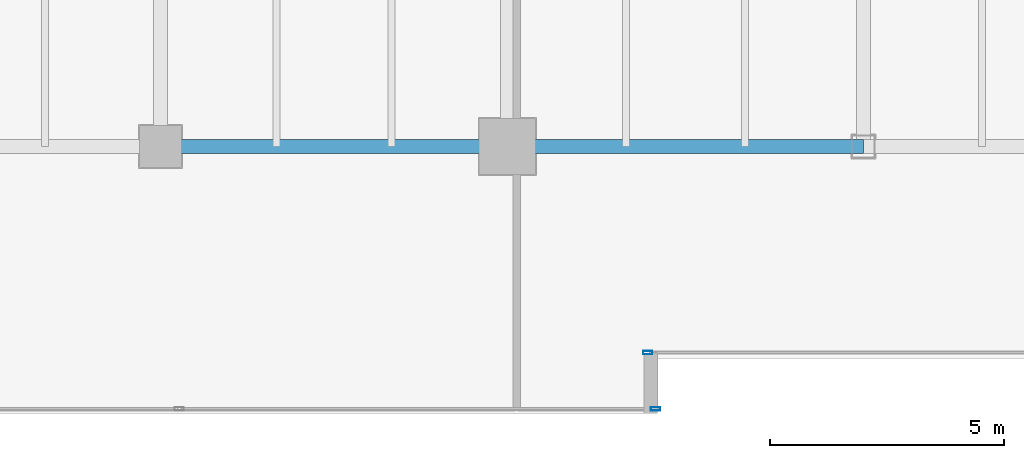
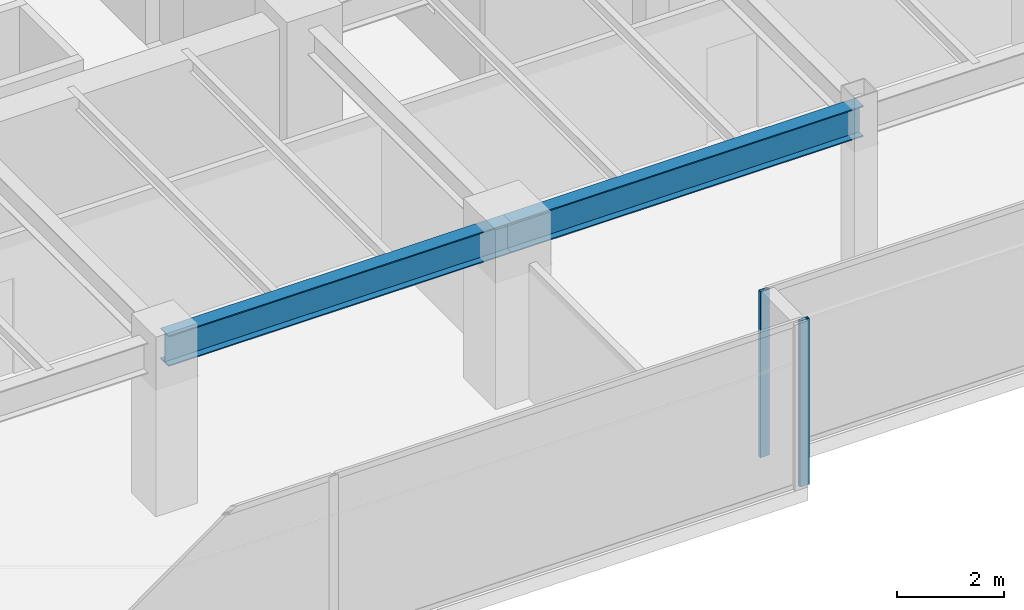
# One storey, part 4 of 34: 2 beams, 2 members, 2 elements without a shape of their own.
"""IFC4 building model written with IfcOpenShell, lengths in metres."""

from ifc_helpers import new_model, si_unit, direction, frame, origin, origin_2d, place, context, subcontext, project, spatial, hollow_rectangle, i_section, extrude, source, transform, mapped, material, layer, layer_set, material_profile, profile_set, type_object, type_shapes, element, aggregate, save


model = new_model("IFC4")

# Units and contexts
model_context = context("Model", 3, precision=1e-05, world=origin(), true_north=direction((0.0, 1.0)))
body_context = subcontext(model_context, "Body", "Model", "MODEL_VIEW")
ifc_project = project(units=[si_unit("LENGTHUNIT", "METRE"), si_unit("AREAUNIT", "SQUARE_METRE"), si_unit("VOLUMEUNIT", "CUBIC_METRE"), si_unit("PLANEANGLEUNIT", "RADIAN"), si_unit("MASSUNIT", "GRAM", prefix="KILO")], contexts=[model_context])

# Site, building, storey
site_placement = place(None, origin())
site = spatial("IfcSite", under=ifc_project, at=site_placement, CompositionType="ELEMENT")
building_placement = place(site_placement, origin())
building = spatial("IfcBuilding", under=site, at=building_placement, Name="Haelvirn Gate Laboratories", CompositionType="ELEMENT")
storey_placement = place(building_placement, frame((0.0, 0.0, 178.89990234375)))
storey = spatial("IfcBuildingStorey", under=building, at=storey_placement, Name="L43", CompositionType="ELEMENT", Elevation=178.89990234375)

# Beams
ifc_material_1 = material(Name="Steel SM355", Category="steel")
ifc_material_profile_1 = material_profile(ifc_material_1, i_section(OverallWidth=0.300048828125, OverallDepth=0.699951171875, WebThickness=0.012939453125, FlangeThickness=0.02392578125, at=origin_2d()), Name="H-700x300x13x24")
ifc_profile_set_1 = profile_set([ifc_material_profile_1], Name="Steel SM355")
beam_type = type_object("IfcBeamType", Name="BM-G-700", PredefinedType="BEAM", material=ifc_profile_set_1)
shared_shape_1 = source(origin(), body_context, "Body", "SweptSolid", [
    extrude(i_section(OverallWidth=0.300048828125, OverallDepth=0.699951171875, WebThickness=0.012939453125, FlangeThickness=0.02392578125, at=origin_2d()), origin(), (0.0, 0.0, 1.0), 7.39990234375),
])
beam_1_placement = place(storey_placement, frame((14.800048828125, 7.0, 3.440185546875), z_axis=(1.0, 0.0, 0.0), x_axis=(0.0, 1.0, 0.0)))
element("IfcBeam", 1, at=beam_1_placement, inside=storey, type_object=beam_type, Name="L43 Primary Girder Y7.0 (14.8-22.2)", PredefinedType="BEAM", context=body_context, shape_type="MappedRepresentation", body=[
    mapped(shared_shape_1, transform((0.0, 0.0, 0.0), scale=1.0)),
])
shared_shape_2 = source(origin(), body_context, "Body", "SweptSolid", [
    extrude(i_section(OverallWidth=0.300048828125, OverallDepth=0.699951171875, WebThickness=0.012939453125, FlangeThickness=0.02392578125, at=origin_2d()), origin(), (0.0, 0.0, 1.0), 7.60009765625),
])
type_shapes(beam_type, [shared_shape_1, shared_shape_2])
beam_2_placement = place(storey_placement, frame((22.199951171875, 7.0, 3.440185546875), z_axis=(1.0, 0.0, 0.0), x_axis=(0.0, 1.0, 0.0)))
element("IfcBeam", 2, at=beam_2_placement, inside=storey, type_object=beam_type, Name="L43 Primary Girder Y7.0 (22.2-29.8)", PredefinedType="BEAM", context=body_context, shape_type="MappedRepresentation", body=[
    mapped(shared_shape_2, transform((0.0, 0.0, 0.0), scale=1.0)),
])

# Curtain wall, member
ifc_material_2 = material(Name="Anodised bronze unitised aluminium & triple low-E glass", Category="aluminium")
ifc_layer = layer(ifc_material_2, 0.179931640625, Name="CW-SYS-3")
ifc_layer_set = layer_set([ifc_layer], Name="Anodised bronze unitised aluminium & triple low-E glass")
curtain_wall_type = type_object("IfcCurtainWallType", Name="CW-SYS-3", PredefinedType="NOTDEFINED", material=ifc_layer_set)
curtain_wall_1_placement = place(storey_placement, origin())
curtain_wall_1 = element("IfcCurtainWall", 3, at=curtain_wall_1_placement, inside=storey, type_object=curtain_wall_type, Name="L43 Unitised Curtain Wall CW-L43-P0-E00-1", PredefinedType="NOTDEFINED")
ifc_material_3 = material(Name="Extruded aluminium 6063-T6 (anodised bronze)", Category="aluminium")
ifc_material_profile_2 = material_profile(ifc_material_3, hollow_rectangle(XDim=0.074951171875, YDim=0.199951171875, WallThickness=0.0048828125, at=origin_2d()), Name="CWM-200x75x5")
ifc_profile_set_2 = profile_set([ifc_material_profile_2], Name="Extruded aluminium 6063-T6 (anodised bronze)")
member_type = type_object("IfcMemberType", Name="CWM-T200", PredefinedType="MULLION", material=ifc_profile_set_2)
shared_shape_3 = source(origin(), body_context, "Body", "SweptSolid", [
    extrude(hollow_rectangle(XDim=0.074951171875, YDim=0.199951171875, WallThickness=0.0048828125, at=origin_2d()), origin(), (0.0, 0.0, 1.0), 3.7900390625),
])
type_shapes(member_type, [shared_shape_3])
member_1_placement = place(storey_placement, frame((25.362548828125, 1.39990234375, 0.0), z_axis=(0.0, 0.0, 1.0), x_axis=(0.0, 1.0, 0.0)))
member_1 = element("IfcMember", 4, at=member_1_placement, type_object=member_type, Name="CW3 mullion 3", PredefinedType="MULLION", context=body_context, shape_type="MappedRepresentation", body=[
    mapped(shared_shape_3, transform((0.0, 0.0, 0.0), scale=1.0)),
])
aggregate(curtain_wall_1, [member_1])

curtain_wall_2_placement = place(storey_placement, origin())
curtain_wall_2 = element("IfcCurtainWall", 5, at=curtain_wall_2_placement, inside=storey, type_object=curtain_wall_type, Name="L43 Unitised Curtain Wall CW-L43-P0-E02-1", PredefinedType="NOTDEFINED")
member_2_placement = place(storey_placement, frame((25.197509765625, 2.60009765625, 0.0), z_axis=(0.0, 0.0, 1.0), x_axis=(0.0, 1.0, 0.0)))
member_2 = element("IfcMember", 6, at=member_2_placement, type_object=member_type, Name="CW3 mullion 1", PredefinedType="MULLION", context=body_context, shape_type="MappedRepresentation", body=[
    mapped(shared_shape_3, transform((0.0, 0.0, 0.0), scale=1.0)),
])
aggregate(curtain_wall_2, [member_2])

save(model, "model.ifc")
